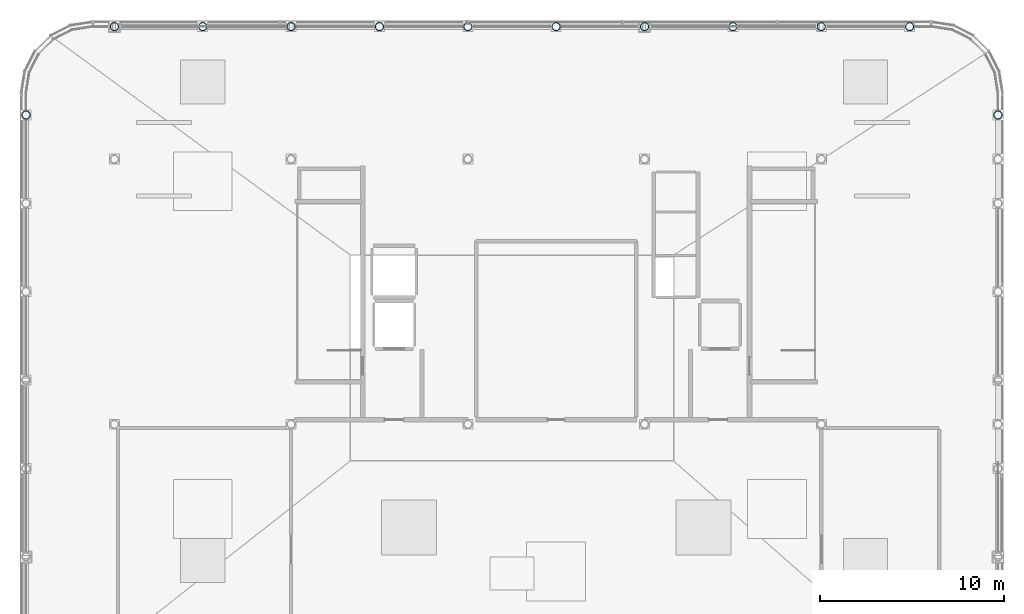
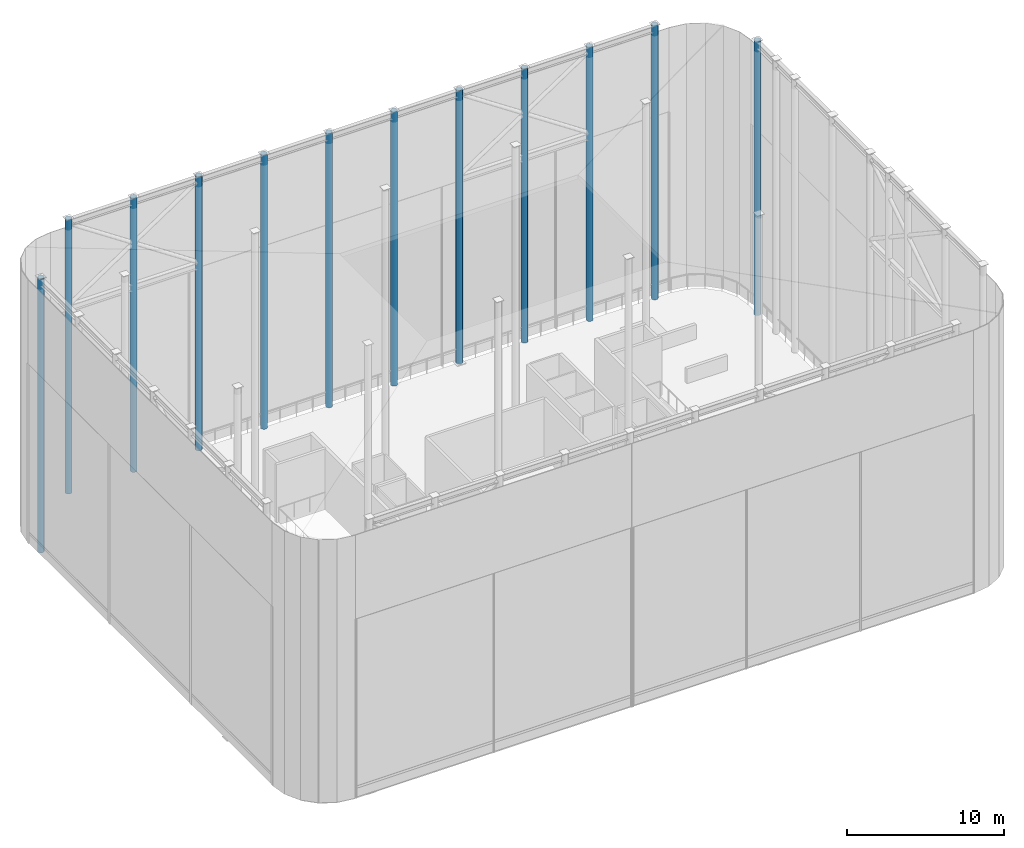
# One storey, part 3 of 42: 12 columns.
"""IFC4 building model written with IfcOpenShell, lengths in metres."""

from ifc_helpers import new_model, si_unit, direction, frame, origin, origin_2d, place, context, subcontext, project, spatial, hollow_circle, extrude, material, material_profile, profile_set, type_object, element, save


model = new_model("IFC4")

# Units and contexts
model_context = context("Model", 3, precision=1e-05, world=origin(), true_north=direction((0.0, 1.0)))
body_context = subcontext(model_context, "Body", "Model", "MODEL_VIEW")
ifc_project = project(units=[si_unit("LENGTHUNIT", "METRE"), si_unit("AREAUNIT", "SQUARE_METRE"), si_unit("VOLUMEUNIT", "CUBIC_METRE"), si_unit("PLANEANGLEUNIT", "RADIAN"), si_unit("MASSUNIT", "GRAM", prefix="KILO")], contexts=[model_context])

# Site, building, storey
site_placement = place(None, origin())
site = spatial("IfcSite", under=ifc_project, at=site_placement, CompositionType="ELEMENT")
building_placement = place(site_placement, origin())
building = spatial("IfcBuilding", under=site, at=building_placement, Name="Kallvorn Hotel Tower", CompositionType="ELEMENT")
storey_placement = place(building_placement, frame((0.0, 0.0, 306.0)))
storey = spatial("IfcBuildingStorey", under=building, at=storey_placement, Name="ROOF", CompositionType="ELEMENT", Elevation=306.0)

# Columns
ifc_material = material(Name="Structural steel S355J2H", Category="steel")
ifc_material_profile = material_profile(ifc_material, hollow_circle(Radius=0.228515625, WallThickness=0.02001953125, at=origin_2d()), Name="CHS 457x20")
ifc_profile_set = profile_set([ifc_material_profile], Name="Structural steel S355J2H")
column_type = type_object("IfcColumnType", Name="COL_CHS_457", PredefinedType="COLUMN", material=ifc_profile_set)
for number, where, z_axis, x_axis, name in (
    (1, (-28.800048828125, 9.60009765625, 0.0), (0.0, 0.0, 1.0), (1.0, 0.0, 0.0), "CROWN FRAME Ring Column 07"),
    (2, (-24.0, 14.39990234375, 0.0), (0.0, 0.0, 1.0), (1.0, 0.0, 0.0), "CROWN FRAME Ring Column 11"),
    (3, (-19.199951171875, 14.39990234375, 0.0), (0.0, 0.0, 1.0), (1.0, 0.0, 0.0), "CROWN FRAME Ring Column 13"),
    (4, (-14.39990234375, 14.39990234375, 0.0), (0.0, 0.0, 1.0), (1.0, 0.0, 0.0), "CROWN FRAME Ring Column 17"),
    (5, (-9.60009765625, 14.39990234375, 0.0), (0.0, 0.0, 1.0), (1.0, 0.0, 0.0), "CROWN FRAME Ring Column 19"),
    (6, (-4.800048828125, 14.39990234375, 0.0), (0.0, 0.0, 1.0), (1.0, 0.0, 0.0), "CROWN FRAME Ring Column 23"),
    (7, (0.0, 14.39990234375, 0.0), (0.0, 0.0, 1.0), (1.0, 0.0, 0.0), "CROWN FRAME Ring Column 25"),
    (8, (4.800048828125, 14.39990234375, 0.0), (0.0, 0.0, 1.0), (1.0, 0.0, 0.0), "CROWN FRAME Ring Column 29"),
    (9, (9.60009765625, 14.39990234375, 0.0), (0.0, 0.0, 1.0), (1.0, 0.0, 0.0), "CROWN FRAME Ring Column 31"),
    (10, (14.39990234375, 14.39990234375, 0.0), (0.0, 0.0, 1.0), (1.0, 0.0, 0.0), "CROWN FRAME Ring Column 35"),
    (11, (19.199951171875, 14.39990234375, 0.0), (0.0, 0.0, 1.0), (1.0, 0.0, 0.0), "CROWN FRAME Ring Column 37"),
    (12, (24.0, 9.60009765625, 0.0), (0.0, 0.0, 1.0), (1.0, 0.0, 0.0), "CROWN FRAME Ring Column 46"),
):
    element("IfcColumn", number, at=place(storey_placement, frame(where, z_axis=z_axis, x_axis=x_axis)), inside=storey, type_object=column_type, Name=name, PredefinedType="COLUMN", context=body_context, shape_type="SweptSolid", body=[
        extrude(hollow_circle(Radius=0.228515625, WallThickness=0.02001953125, at=origin_2d()), origin(), (0.0, 0.0, 1.0), 21.360107421875),
    ])

save(model, "model.ifc")
